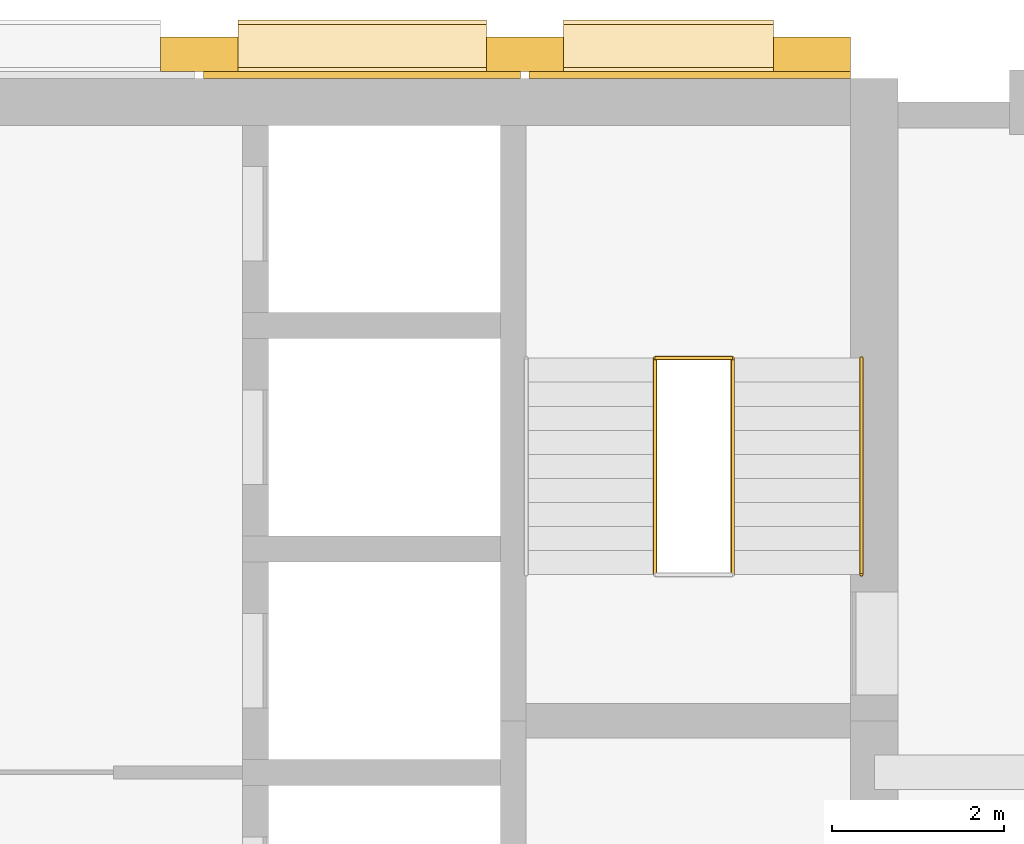
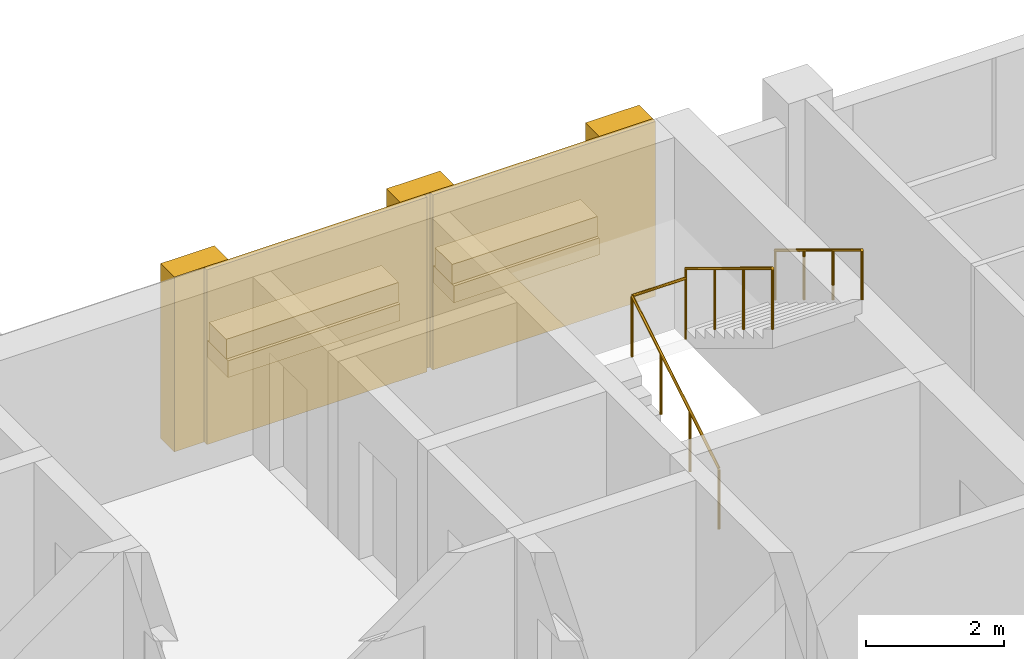
# One storey, part 13 of 13: 9 coverings, 4 railings, 1 element without a shape of its own.
"""IFC4 building model written with IfcOpenShell, lengths in metres."""

from ifc_helpers import new_model, si_unit, direction, frame, origin, origin_2d, place, context, subcontext, project, spatial, rectangle, circle, extrude, material, layer, layer_set, type_object, element, aggregate, save


model = new_model("IFC4")

# Units and contexts
model_context = context("Model", 3, precision=1e-05, world=origin(), true_north=direction((0.0, 1.0)))
body_context = subcontext(model_context, "Body", "Model", "MODEL_VIEW")
ifc_project = project(units=[si_unit("LENGTHUNIT", "METRE"), si_unit("AREAUNIT", "SQUARE_METRE"), si_unit("VOLUMEUNIT", "CUBIC_METRE"), si_unit("PLANEANGLEUNIT", "RADIAN"), si_unit("MASSUNIT", "GRAM", prefix="KILO")], contexts=[model_context])

# Site, building, storey
site_placement = place(None, origin())
site = spatial("IfcSite", under=ifc_project, at=site_placement, CompositionType="ELEMENT")
building_placement = place(site_placement, origin())
building = spatial("IfcBuilding", under=site, at=building_placement, Name="Ludao Terraces", CompositionType="ELEMENT")
storey_placement = place(building_placement, frame((0.0, 0.0, 155.39990234375)))
storey = spatial("IfcBuildingStorey", under=building, at=storey_placement, Name="L42", CompositionType="ELEMENT", Elevation=155.39990234375)

# Coverings
ifc_material_1 = material(Name="Granite cladding", Category="masonry")
ifc_layer_1 = layer(ifc_material_1, 0.39990234375)
ifc_layer_set_1 = layer_set([ifc_layer_1], Name="ENV Core pilaster stone 400")
covering_type_1 = type_object("IfcCoveringType", Name="ENV Core pilaster stone 400", PredefinedType="CLADDING", material=ifc_layer_set_1)
for number, where, z_axis, x_axis, name in (
    (1, (86.89501953125, 85.054931640625, 0.0), (0.0, 0.0, 1.0), (1.0, 0.0, 0.0), "CC-L42-PIL4"),
    (2, (90.68505859375, 85.054931640625, 0.0), (0.0, 0.0, 1.0), (1.0, 0.0, 0.0), "CC-L42-PIL5"),
    (3, (94.02490234375, 85.054931640625, 0.0), (0.0, 0.0, 1.0), (1.0, 0.0, 0.0), "CC-L42-PIL6"),
):
    element("IfcCovering", number, at=place(storey_placement, frame(where, z_axis=z_axis, x_axis=x_axis)), inside=storey, type_object=covering_type_1, Name=name, PredefinedType="CLADDING", context=body_context, shape_type="SweptSolid", body=[
        extrude(rectangle(XDim=0.89990234375, YDim=0.39990234375, at=origin_2d()), origin(), (0.0, 0.0, 1.0), 3.10009765625),
    ])
ifc_layer_2 = layer(ifc_material_1, 0.60009765625)
ifc_layer_set_2 = layer_set([ifc_layer_2], Name="ENV Core planting shelf stone 600")
covering_type_2 = type_object("IfcCoveringType", Name="ENV Core planting shelf stone 600", PredefinedType="CLADDING", material=ifc_layer_set_2)
covering_1_placement = place(storey_placement, frame((88.7900390625, 85.155029296875, 1.0), z_axis=(0.0, 0.0, 1.0), x_axis=(1.0, 0.0, 0.0)))
element("IfcCovering", 4, at=covering_1_placement, inside=storey, type_object=covering_type_2, Name="CC-L42-SHELF4", PredefinedType="CLADDING", context=body_context, shape_type="SweptSolid", body=[
    extrude(rectangle(XDim=2.889892578125, YDim=0.60009765625, at=origin_2d()), origin(), (0.0, 0.0, 1.0), 0.300048828125),
])
covering_2_placement = place(storey_placement, frame((92.35498046875, 85.155029296875, 1.0), z_axis=(0.0, 0.0, 1.0), x_axis=(1.0, 0.0, 0.0)))
element("IfcCovering", 5, at=covering_2_placement, inside=storey, type_object=covering_type_2, Name="CC-L42-SHELF5", PredefinedType="CLADDING", context=body_context, shape_type="SweptSolid", body=[
    extrude(rectangle(XDim=2.43994140625, YDim=0.60009765625, at=origin_2d()), origin(), (0.0, 0.0, 1.0), 0.300048828125),
])
ifc_layer_3 = layer(ifc_material_1, 0.080078125)
ifc_layer_set_3 = layer_set([ifc_layer_3], Name="ENV Core stone cladding panel 80")
covering_type_3 = type_object("IfcCoveringType", Name="ENV Core stone cladding panel 80", PredefinedType="CLADDING", material=ifc_layer_set_3)
covering_3_placement = place(storey_placement, frame((88.7900390625, 84.81494140625, 0.0), z_axis=(0.0, 0.0, 1.0), x_axis=(1.0, 0.0, 0.0)))
element("IfcCovering", 6, at=covering_3_placement, inside=storey, type_object=covering_type_3, Name="CC-L42-CORE4", PredefinedType="CLADDING", context=body_context, shape_type="SweptSolid", body=[
    extrude(rectangle(XDim=3.68994140625, YDim=0.080078125, at=origin_2d()), origin(), (0.0, 0.0, 1.0), 3.10009765625),
])
covering_4_placement = place(storey_placement, frame((92.60498046875, 84.81494140625, 0.0), z_axis=(0.0, 0.0, 1.0), x_axis=(1.0, 0.0, 0.0)))
element("IfcCovering", 7, at=covering_4_placement, inside=storey, type_object=covering_type_3, Name="CC-L42-CORE5", PredefinedType="CLADDING", context=body_context, shape_type="SweptSolid", body=[
    extrude(rectangle(XDim=3.739990234375, YDim=0.080078125, at=origin_2d()), origin(), (0.0, 0.0, 1.0), 3.10009765625),
])
ifc_material_2 = material(Name="Planting")
ifc_layer_4 = layer(ifc_material_2, 0.5)
ifc_layer_set_4 = layer_set([ifc_layer_4], Name="ENV Shelf planting bed 350")
covering_type_4 = type_object("IfcCoveringType", Name="ENV Shelf planting bed 350", PredefinedType="USERDEFINED", material=ifc_layer_set_4)
covering_5_placement = place(storey_placement, frame((88.7900390625, 85.155029296875, 1.300048828125), z_axis=(0.0, 0.0, 1.0), x_axis=(1.0, 0.0, 0.0)))
element("IfcCovering", 8, at=covering_5_placement, inside=storey, type_object=covering_type_4, Name="Shelf planting bed L42 4", ObjectType="PLANTING", PredefinedType="USERDEFINED", context=body_context, shape_type="SweptSolid", body=[
    extrude(rectangle(XDim=2.889892578125, YDim=0.5, at=origin_2d()), origin(), (0.0, 0.0, 1.0), 0.35009765625),
])
covering_6_placement = place(storey_placement, frame((92.35498046875, 85.155029296875, 1.300048828125), z_axis=(0.0, 0.0, 1.0), x_axis=(1.0, 0.0, 0.0)))
element("IfcCovering", 9, at=covering_6_placement, inside=storey, type_object=covering_type_4, Name="Shelf planting bed L42 5", ObjectType="PLANTING", PredefinedType="USERDEFINED", context=body_context, shape_type="SweptSolid", body=[
    extrude(rectangle(XDim=2.43994140625, YDim=0.5, at=origin_2d()), origin(), (0.0, 0.0, 1.0), 0.35009765625),
])

# Stair, railings
ifc_material_3 = material(Name="Concrete C40", Category="concrete")
stair_type = type_object("IfcStairType", Name="INT Stair", PredefinedType="HALF_TURN_STAIR", material=ifc_material_3)
stair_placement = place(storey_placement, origin())
stair = element("IfcStair", 10, at=stair_placement, inside=storey, type_object=stair_type, Name="EXIT STAIR 2", PredefinedType="HALF_TURN_STAIR")
ifc_material_4 = material(Name="Stainless steel 304", Category="steel")
railing_type_1 = type_object("IfcRailingType", Name="INT Stair guard 1100", PredefinedType="GUARDRAIL", material=ifc_material_4)
railing_1_placement = place(storey_placement, frame((92.199951171875, 79.0, 0.170166015625)))
railing_1 = element("IfcRailing", 11, at=railing_1_placement, type_object=railing_type_1, Name="ST-L42-S2-R1G", PredefinedType="GUARDRAIL", context=body_context, shape_type="SweptSolid", body=[
    extrude(circle(Radius=0.02392578125, at=origin_2d()), frame((0.0, 0.0, 1.076171875), z_axis=(0.0, 0.85478489116, 0.518982456201), x_axis=(-1.0, 0.0, 0.0)), (0.0, 0.0, 1.0), 2.9482421875),
    extrude(circle(Radius=0.02099609375, at=origin_2d()), origin(), (0.0, 0.0, 1.0), 1.052001953125),
    extrude(circle(Radius=0.02099609375, at=origin_2d()), frame((0.0, 0.840087890625, 0.510009765625)), (0.0, 0.0, 1.0), 1.052001953125),
    extrude(circle(Radius=0.02099609375, at=origin_2d()), frame((0.0, 1.679931640625, 1.02001953125)), (0.0, 0.0, 1.0), 1.052001953125),
    extrude(circle(Radius=0.02099609375, at=origin_2d()), frame((0.0, 2.52001953125, 1.530029296875)), (0.0, 0.0, 1.0), 1.052001953125),
])
railing_2_placement = place(storey_placement, frame((93.10009765625, 81.52001953125, 1.8701171875)))
railing_2 = element("IfcRailing", 12, at=railing_2_placement, type_object=railing_type_1, Name="ST-L42-S2-R2G", PredefinedType="GUARDRAIL", context=body_context, shape_type="SweptSolid", body=[
    extrude(circle(Radius=0.02392578125, at=origin_2d()), frame((0.0, 0.0, 1.076171875), z_axis=(0.0, -0.85478489116, 0.518982456201), x_axis=(1.0, 0.0, 0.0)), (0.0, 0.0, 1.0), 2.9482421875),
    extrude(circle(Radius=0.02099609375, at=origin_2d()), origin(), (0.0, 0.0, 1.0), 1.052001953125),
    extrude(circle(Radius=0.02099609375, at=origin_2d()), frame((0.0, -0.840087890625, 0.510009765625)), (0.0, 0.0, 1.0), 1.052001953125),
    extrude(circle(Radius=0.02099609375, at=origin_2d()), frame((0.0, -1.679931640625, 1.02001953125)), (0.0, 0.0, 1.0), 1.052001953125),
    extrude(circle(Radius=0.02099609375, at=origin_2d()), frame((0.0, -2.52001953125, 1.530029296875)), (0.0, 0.0, 1.0), 1.052001953125),
])
railing_3_placement = place(storey_placement, frame((92.199951171875, 81.52001953125, 1.7001953125)))
railing_3 = element("IfcRailing", 13, at=railing_3_placement, type_object=railing_type_1, Name="ST-L42-S2-E1G", PredefinedType="GUARDRAIL", context=body_context, shape_type="SweptSolid", body=[
    extrude(circle(Radius=0.02392578125, at=origin_2d()), frame((0.0, 0.0, 1.076171875), z_axis=(1.0, 0.0, 0.0), x_axis=(0.0, 1.0, 0.0)), (0.0, 0.0, 1.0), 0.900146484375),
    extrude(circle(Radius=0.02099609375, at=origin_2d()), origin(), (0.0, 0.0, 1.0), 1.052001953125),
    extrude(circle(Radius=0.02099609375, at=origin_2d()), frame((0.900146484375, 0.0, 0.0)), (0.0, 0.0, 1.0), 1.052001953125),
])
railing_type_2 = type_object("IfcRailingType", Name="INT Stair handrail 900", PredefinedType="HANDRAIL", material=ifc_material_4)
railing_4_placement = place(storey_placement, frame((94.60009765625, 81.52001953125, 1.8701171875)))
railing_4 = element("IfcRailing", 14, at=railing_4_placement, type_object=railing_type_2, Name="ST-L42-S2-R2H", PredefinedType="HANDRAIL", context=body_context, shape_type="SweptSolid", body=[
    extrude(circle(Radius=0.02392578125, at=origin_2d()), frame((0.0, 0.0, 0.8759765625), z_axis=(0.0, -0.85478489116, 0.518982456201), x_axis=(1.0, 0.0, 0.0)), (0.0, 0.0, 1.0), 2.9482421875),
    extrude(circle(Radius=0.02099609375, at=origin_2d()), origin(), (0.0, 0.0, 1.0), 0.851806640625),
    extrude(circle(Radius=0.02099609375, at=origin_2d()), frame((0.0, -0.840087890625, 0.510009765625)), (0.0, 0.0, 1.0), 0.851806640625),
    extrude(circle(Radius=0.02099609375, at=origin_2d()), frame((0.0, -1.679931640625, 1.02001953125)), (0.0, 0.0, 1.0), 0.851806640625),
    extrude(circle(Radius=0.02099609375, at=origin_2d()), frame((0.0, -2.52001953125, 1.530029296875)), (0.0, 0.0, 1.0), 0.851806640625),
])
aggregate(stair, [railing_1, railing_2, railing_4, railing_3])

save(model, "model.ifc")
